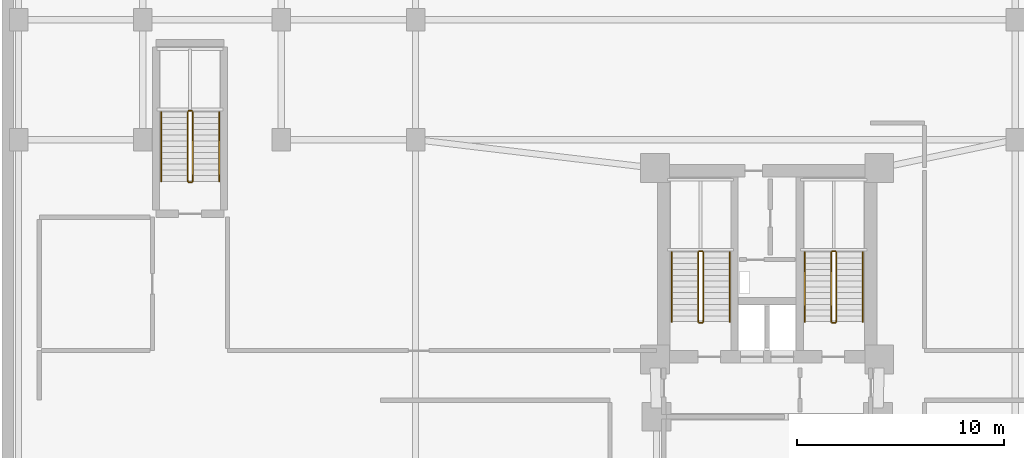
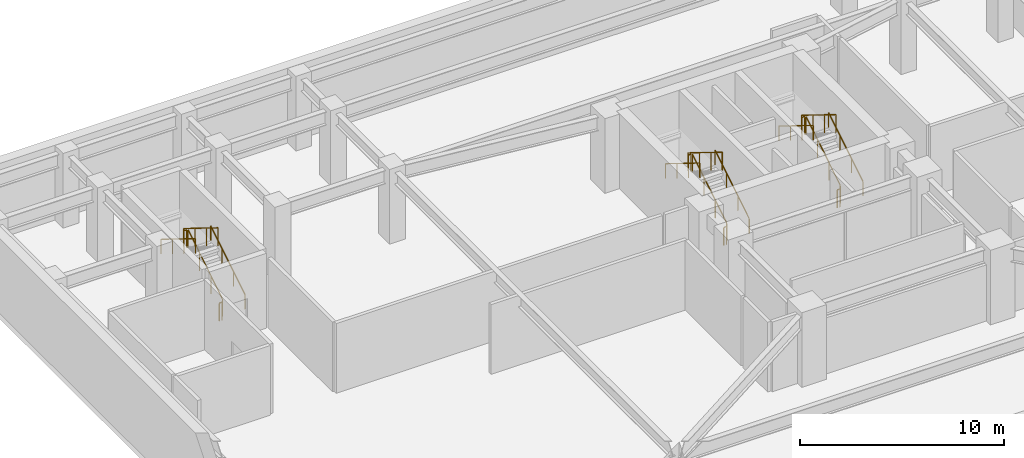
# One storey, part 8 of 8: 18 railings.
"""IFC4 building model written with IfcOpenShell, lengths in metres."""

from ifc_helpers import new_model, si_unit, direction, frame, origin, origin_2d, place, context, subcontext, project, spatial, rectangle, extrude, material, type_object, element, save


model = new_model("IFC4")

# Units and contexts
model_context = context("Model", 3, precision=1e-05, world=origin(), true_north=direction((0.0, 1.0)))
body_context = subcontext(model_context, "Body", "Model", "MODEL_VIEW")
ifc_project = project(units=[si_unit("LENGTHUNIT", "METRE"), si_unit("AREAUNIT", "SQUARE_METRE"), si_unit("VOLUMEUNIT", "CUBIC_METRE"), si_unit("PLANEANGLEUNIT", "RADIAN"), si_unit("MASSUNIT", "GRAM", prefix="KILO")], contexts=[model_context])

# Site, building, storey
site_placement = place(None, origin())
site = spatial("IfcSite", under=ifc_project, at=site_placement, CompositionType="ELEMENT")
building_placement = place(site_placement, origin())
building = spatial("IfcBuilding", under=site, at=building_placement, Name="Varnakorn Sky Granary", CompositionType="ELEMENT")
storey_placement = place(building_placement, frame((0.0, 0.0, -9.0)))
storey = spatial("IfcBuildingStorey", under=building, at=storey_placement, Name="B02", CompositionType="ELEMENT", Elevation=-9.0)

# Railings
ifc_material = material(Name="Brushed Stainless Steel 316", Category="steel")
railing_type_1 = type_object("IfcRailingType", Name="RL-STAIR-1100", PredefinedType="GUARDRAIL", material=ifc_material)
railing_1_placement = place(storey_placement, frame((-0.090087890625, 5.199951171875, 0.173095703125)))
element("IfcRailing", 1, at=railing_1_placement, inside=storey, type_object=railing_type_1, Name="B02 ST-1 stair guard 1", PredefinedType="GUARDRAIL", context=body_context, shape_type="SweptSolid", body=[
    extrude(rectangle(XDim=0.048095703125, YDim=0.048095703125, at=origin_2d()), frame((0.0, 0.0, 1.076171875), z_axis=(0.0, 0.850623216509, 0.525775754039), x_axis=(-1.0, 0.0, 0.0)), (0.0, 0.0, 1.0), 3.9501953125),
    extrude(rectangle(XDim=0.0419921875, YDim=0.0419921875, at=origin_2d()), origin(), (0.0, 0.0, 1.0), 1.048095703125),
    extrude(rectangle(XDim=0.0419921875, YDim=0.0419921875, at=origin_2d()), frame((0.0, 1.1201171875, 0.6923828125)), (0.0, 0.0, 1.0), 1.048095703125),
    extrude(rectangle(XDim=0.0419921875, YDim=0.0419921875, at=origin_2d()), frame((0.0, 2.239990234375, 1.384521484375)), (0.0, 0.0, 1.0), 1.048095703125),
    extrude(rectangle(XDim=0.0419921875, YDim=0.0419921875, at=origin_2d()), frame((0.0, 3.360107421875, 2.076904296875)), (0.0, 0.0, 1.0), 1.048095703125),
])
railing_2_placement = place(storey_placement, frame((-0.139892578125, 8.610107421875, 2.25)))
element("IfcRailing", 2, at=railing_2_placement, inside=storey, type_object=railing_type_1, Name="B02 ST-1 stair guard 2", PredefinedType="GUARDRAIL", context=body_context, shape_type="SweptSolid", body=[
    extrude(rectangle(XDim=0.048095703125, YDim=0.048095703125, at=origin_2d()), frame((0.0, 0.0, 1.076171875), z_axis=(-1.0, 0.0, 0.0), x_axis=(0.0, -1.0, 0.0)), (0.0, 0.0, 1.0), 0.150146484375),
    extrude(rectangle(XDim=0.0419921875, YDim=0.0419921875, at=origin_2d()), origin(), (0.0, 0.0, 1.0), 1.048095703125),
    extrude(rectangle(XDim=0.0419921875, YDim=0.0419921875, at=origin_2d()), frame((-0.150146484375, 0.0, 0.0)), (0.0, 0.0, 1.0), 1.048095703125),
])
railing_3_placement = place(storey_placement, frame((-0.340087890625, 8.56005859375, 2.423095703125)))
element("IfcRailing", 3, at=railing_3_placement, inside=storey, type_object=railing_type_1, Name="B02 ST-1 stair guard 3", PredefinedType="GUARDRAIL", context=body_context, shape_type="SweptSolid", body=[
    extrude(rectangle(XDim=0.048095703125, YDim=0.048095703125, at=origin_2d()), frame((0.0, 0.0, 1.076171875), z_axis=(0.0, -0.850623216509, 0.525775754039), x_axis=(1.0, 0.0, 0.0)), (0.0, 0.0, 1.0), 3.9501953125),
    extrude(rectangle(XDim=0.0419921875, YDim=0.0419921875, at=origin_2d()), origin(), (0.0, 0.0, 1.0), 1.048095703125),
    extrude(rectangle(XDim=0.0419921875, YDim=0.0419921875, at=origin_2d()), frame((0.0, -1.1201171875, 0.6923828125)), (0.0, 0.0, 1.0), 1.048095703125),
    extrude(rectangle(XDim=0.0419921875, YDim=0.0419921875, at=origin_2d()), frame((0.0, -2.239990234375, 1.384521484375)), (0.0, 0.0, 1.0), 1.048095703125),
    extrude(rectangle(XDim=0.0419921875, YDim=0.0419921875, at=origin_2d()), frame((0.0, -3.360107421875, 2.076904296875)), (0.0, 0.0, 1.0), 1.048095703125),
])
railing_4_placement = place(storey_placement, frame((-0.139892578125, 5.14990234375, 0.0)))
element("IfcRailing", 4, at=railing_4_placement, inside=storey, type_object=railing_type_1, Name="B02 ST-1 stair guard 4", PredefinedType="GUARDRAIL", context=body_context, shape_type="SweptSolid", body=[
    extrude(rectangle(XDim=0.048095703125, YDim=0.048095703125, at=origin_2d()), frame((0.0, 0.0, 1.076171875), z_axis=(-1.0, 0.0, 0.0), x_axis=(0.0, -1.0, 0.0)), (0.0, 0.0, 1.0), 0.150146484375),
    extrude(rectangle(XDim=0.0419921875, YDim=0.0419921875, at=origin_2d()), origin(), (0.0, 0.0, 1.0), 1.048095703125),
    extrude(rectangle(XDim=0.0419921875, YDim=0.0419921875, at=origin_2d()), frame((-0.150146484375, 0.0, 0.0)), (0.0, 0.0, 1.0), 1.048095703125),
])
railing_5_placement = place(storey_placement, frame((6.35009765625, 5.199951171875, 0.173095703125)))
element("IfcRailing", 5, at=railing_5_placement, inside=storey, type_object=railing_type_1, Name="B02 ST-2 stair guard 1", PredefinedType="GUARDRAIL", context=body_context, shape_type="SweptSolid", body=[
    extrude(rectangle(XDim=0.048095703125, YDim=0.048095703125, at=origin_2d()), frame((0.0, 0.0, 1.076171875), z_axis=(0.0, 0.850623216509, 0.525775754039), x_axis=(-1.0, 0.0, 0.0)), (0.0, 0.0, 1.0), 3.9501953125),
    extrude(rectangle(XDim=0.0419921875, YDim=0.0419921875, at=origin_2d()), origin(), (0.0, 0.0, 1.0), 1.048095703125),
    extrude(rectangle(XDim=0.0419921875, YDim=0.0419921875, at=origin_2d()), frame((0.0, 1.1201171875, 0.6923828125)), (0.0, 0.0, 1.0), 1.048095703125),
    extrude(rectangle(XDim=0.0419921875, YDim=0.0419921875, at=origin_2d()), frame((0.0, 2.239990234375, 1.384521484375)), (0.0, 0.0, 1.0), 1.048095703125),
    extrude(rectangle(XDim=0.0419921875, YDim=0.0419921875, at=origin_2d()), frame((0.0, 3.360107421875, 2.076904296875)), (0.0, 0.0, 1.0), 1.048095703125),
])
railing_6_placement = place(storey_placement, frame((6.300048828125, 8.610107421875, 2.25)))
element("IfcRailing", 6, at=railing_6_placement, inside=storey, type_object=railing_type_1, Name="B02 ST-2 stair guard 2", PredefinedType="GUARDRAIL", context=body_context, shape_type="SweptSolid", body=[
    extrude(rectangle(XDim=0.048095703125, YDim=0.048095703125, at=origin_2d()), frame((0.0, 0.0, 1.076171875), z_axis=(-1.0, 0.0, 0.0), x_axis=(0.0, -1.0, 0.0)), (0.0, 0.0, 1.0), 0.150146484375),
    extrude(rectangle(XDim=0.0419921875, YDim=0.0419921875, at=origin_2d()), origin(), (0.0, 0.0, 1.0), 1.048095703125),
    extrude(rectangle(XDim=0.0419921875, YDim=0.0419921875, at=origin_2d()), frame((-0.150146484375, 0.0, 0.0)), (0.0, 0.0, 1.0), 1.048095703125),
])
railing_7_placement = place(storey_placement, frame((6.10009765625, 8.56005859375, 2.423095703125)))
element("IfcRailing", 7, at=railing_7_placement, inside=storey, type_object=railing_type_1, Name="B02 ST-2 stair guard 3", PredefinedType="GUARDRAIL", context=body_context, shape_type="SweptSolid", body=[
    extrude(rectangle(XDim=0.048095703125, YDim=0.048095703125, at=origin_2d()), frame((0.0, 0.0, 1.076171875), z_axis=(0.0, -0.850623216509, 0.525775754039), x_axis=(1.0, 0.0, 0.0)), (0.0, 0.0, 1.0), 3.9501953125),
    extrude(rectangle(XDim=0.0419921875, YDim=0.0419921875, at=origin_2d()), origin(), (0.0, 0.0, 1.0), 1.048095703125),
    extrude(rectangle(XDim=0.0419921875, YDim=0.0419921875, at=origin_2d()), frame((0.0, -1.1201171875, 0.6923828125)), (0.0, 0.0, 1.0), 1.048095703125),
    extrude(rectangle(XDim=0.0419921875, YDim=0.0419921875, at=origin_2d()), frame((0.0, -2.239990234375, 1.384521484375)), (0.0, 0.0, 1.0), 1.048095703125),
    extrude(rectangle(XDim=0.0419921875, YDim=0.0419921875, at=origin_2d()), frame((0.0, -3.360107421875, 2.076904296875)), (0.0, 0.0, 1.0), 1.048095703125),
])
railing_8_placement = place(storey_placement, frame((6.300048828125, 5.14990234375, 0.0)))
element("IfcRailing", 8, at=railing_8_placement, inside=storey, type_object=railing_type_1, Name="B02 ST-2 stair guard 4", PredefinedType="GUARDRAIL", context=body_context, shape_type="SweptSolid", body=[
    extrude(rectangle(XDim=0.048095703125, YDim=0.048095703125, at=origin_2d()), frame((0.0, 0.0, 1.076171875), z_axis=(-1.0, 0.0, 0.0), x_axis=(0.0, -1.0, 0.0)), (0.0, 0.0, 1.0), 0.150146484375),
    extrude(rectangle(XDim=0.0419921875, YDim=0.0419921875, at=origin_2d()), origin(), (0.0, 0.0, 1.0), 1.048095703125),
    extrude(rectangle(XDim=0.0419921875, YDim=0.0419921875, at=origin_2d()), frame((-0.150146484375, 0.0, 0.0)), (0.0, 0.0, 1.0), 1.048095703125),
])
railing_9_placement = place(storey_placement, frame((-24.780029296875, 11.97998046875, 0.173095703125)))
element("IfcRailing", 9, at=railing_9_placement, inside=storey, type_object=railing_type_1, Name="B02 ST-B3 stair guard 1", PredefinedType="GUARDRAIL", context=body_context, shape_type="SweptSolid", body=[
    extrude(rectangle(XDim=0.048095703125, YDim=0.048095703125, at=origin_2d()), frame((0.0, 0.0, 1.076171875), z_axis=(0.0, 0.850623216509, 0.525775754039), x_axis=(-1.0, 0.0, 0.0)), (0.0, 0.0, 1.0), 3.9501953125),
    extrude(rectangle(XDim=0.0419921875, YDim=0.0419921875, at=origin_2d()), origin(), (0.0, 0.0, 1.0), 1.048095703125),
    extrude(rectangle(XDim=0.0419921875, YDim=0.0419921875, at=origin_2d()), frame((0.0, 1.1201171875, 0.6923828125)), (0.0, 0.0, 1.0), 1.048095703125),
    extrude(rectangle(XDim=0.0419921875, YDim=0.0419921875, at=origin_2d()), frame((0.0, 2.239990234375, 1.384521484375)), (0.0, 0.0, 1.0), 1.048095703125),
    extrude(rectangle(XDim=0.0419921875, YDim=0.0419921875, at=origin_2d()), frame((0.0, 3.360107421875, 2.076904296875)), (0.0, 0.0, 1.0), 1.048095703125),
])
railing_10_placement = place(storey_placement, frame((-24.830078125, 15.389892578125, 2.25)))
element("IfcRailing", 10, at=railing_10_placement, inside=storey, type_object=railing_type_1, Name="B02 ST-B3 stair guard 2", PredefinedType="GUARDRAIL", context=body_context, shape_type="SweptSolid", body=[
    extrude(rectangle(XDim=0.048095703125, YDim=0.048095703125, at=origin_2d()), frame((0.0, 0.0, 1.076171875), z_axis=(-1.0, 0.0, 0.0), x_axis=(0.0, -1.0, 0.0)), (0.0, 0.0, 1.0), 0.14990234375),
    extrude(rectangle(XDim=0.0419921875, YDim=0.0419921875, at=origin_2d()), origin(), (0.0, 0.0, 1.0), 1.048095703125),
    extrude(rectangle(XDim=0.0419921875, YDim=0.0419921875, at=origin_2d()), frame((-0.14990234375, 0.0, 0.0)), (0.0, 0.0, 1.0), 1.048095703125),
])
railing_11_placement = place(storey_placement, frame((-25.030029296875, 15.340087890625, 2.423095703125)))
element("IfcRailing", 11, at=railing_11_placement, inside=storey, type_object=railing_type_1, Name="B02 ST-B3 stair guard 3", PredefinedType="GUARDRAIL", context=body_context, shape_type="SweptSolid", body=[
    extrude(rectangle(XDim=0.048095703125, YDim=0.048095703125, at=origin_2d()), frame((0.0, 0.0, 1.076171875), z_axis=(0.0, -0.850623216509, 0.525775754039), x_axis=(1.0, 0.0, 0.0)), (0.0, 0.0, 1.0), 3.9501953125),
    extrude(rectangle(XDim=0.0419921875, YDim=0.0419921875, at=origin_2d()), origin(), (0.0, 0.0, 1.0), 1.048095703125),
    extrude(rectangle(XDim=0.0419921875, YDim=0.0419921875, at=origin_2d()), frame((0.0, -1.1201171875, 0.6923828125)), (0.0, 0.0, 1.0), 1.048095703125),
    extrude(rectangle(XDim=0.0419921875, YDim=0.0419921875, at=origin_2d()), frame((0.0, -2.239990234375, 1.384521484375)), (0.0, 0.0, 1.0), 1.048095703125),
    extrude(rectangle(XDim=0.0419921875, YDim=0.0419921875, at=origin_2d()), frame((0.0, -3.360107421875, 2.076904296875)), (0.0, 0.0, 1.0), 1.048095703125),
])
railing_12_placement = place(storey_placement, frame((-24.830078125, 11.929931640625, 0.0)))
element("IfcRailing", 12, at=railing_12_placement, inside=storey, type_object=railing_type_1, Name="B02 ST-B3 stair guard 4", PredefinedType="GUARDRAIL", context=body_context, shape_type="SweptSolid", body=[
    extrude(rectangle(XDim=0.048095703125, YDim=0.048095703125, at=origin_2d()), frame((0.0, 0.0, 1.076171875), z_axis=(-1.0, 0.0, 0.0), x_axis=(0.0, -1.0, 0.0)), (0.0, 0.0, 1.0), 0.14990234375),
    extrude(rectangle(XDim=0.0419921875, YDim=0.0419921875, at=origin_2d()), origin(), (0.0, 0.0, 1.0), 1.048095703125),
    extrude(rectangle(XDim=0.0419921875, YDim=0.0419921875, at=origin_2d()), frame((-0.14990234375, 0.0, 0.0)), (0.0, 0.0, 1.0), 1.048095703125),
])
railing_type_2 = type_object("IfcRailingType", Name="RL-STAIR-920", PredefinedType="HANDRAIL", material=ifc_material)
railing_13_placement = place(storey_placement, frame((1.18994140625, 5.199951171875, 0.173095703125)))
element("IfcRailing", 13, at=railing_13_placement, inside=storey, type_object=railing_type_2, Name="B02 ST-1 stair handrail 1", PredefinedType="HANDRAIL", context=body_context, shape_type="SweptSolid", body=[
    extrude(rectangle(XDim=0.048095703125, YDim=0.048095703125, at=origin_2d()), frame((0.0, 0.0, 0.8759765625), z_axis=(0.0, 0.850623216509, 0.525775754039), x_axis=(-1.0, 0.0, 0.0)), (0.0, 0.0, 1.0), 3.9501953125),
    extrude(rectangle(XDim=0.0419921875, YDim=0.0419921875, at=origin_2d()), origin(), (0.0, 0.0, 1.0), 0.847900390625),
    extrude(rectangle(XDim=0.0419921875, YDim=0.0419921875, at=origin_2d()), frame((0.0, 1.1201171875, 0.6923828125)), (0.0, 0.0, 1.0), 0.847900390625),
    extrude(rectangle(XDim=0.0419921875, YDim=0.0419921875, at=origin_2d()), frame((0.0, 2.239990234375, 1.384521484375)), (0.0, 0.0, 1.0), 0.847900390625),
    extrude(rectangle(XDim=0.0419921875, YDim=0.0419921875, at=origin_2d()), frame((0.0, 3.360107421875, 2.076904296875)), (0.0, 0.0, 1.0), 0.847900390625),
])
railing_14_placement = place(storey_placement, frame((-1.6201171875, 8.56005859375, 2.423095703125)))
element("IfcRailing", 14, at=railing_14_placement, inside=storey, type_object=railing_type_2, Name="B02 ST-1 stair handrail 2", PredefinedType="HANDRAIL", context=body_context, shape_type="SweptSolid", body=[
    extrude(rectangle(XDim=0.048095703125, YDim=0.048095703125, at=origin_2d()), frame((0.0, 0.0, 0.8759765625), z_axis=(0.0, -0.850623216509, 0.525775754039), x_axis=(1.0, 0.0, 0.0)), (0.0, 0.0, 1.0), 3.9501953125),
    extrude(rectangle(XDim=0.0419921875, YDim=0.0419921875, at=origin_2d()), origin(), (0.0, 0.0, 1.0), 0.847900390625),
    extrude(rectangle(XDim=0.0419921875, YDim=0.0419921875, at=origin_2d()), frame((0.0, -1.1201171875, 0.6923828125)), (0.0, 0.0, 1.0), 0.847900390625),
    extrude(rectangle(XDim=0.0419921875, YDim=0.0419921875, at=origin_2d()), frame((0.0, -2.239990234375, 1.384521484375)), (0.0, 0.0, 1.0), 0.847900390625),
    extrude(rectangle(XDim=0.0419921875, YDim=0.0419921875, at=origin_2d()), frame((0.0, -3.360107421875, 2.076904296875)), (0.0, 0.0, 1.0), 0.847900390625),
])
railing_15_placement = place(storey_placement, frame((7.6298828125, 5.199951171875, 0.173095703125)))
element("IfcRailing", 15, at=railing_15_placement, inside=storey, type_object=railing_type_2, Name="B02 ST-2 stair handrail 1", PredefinedType="HANDRAIL", context=body_context, shape_type="SweptSolid", body=[
    extrude(rectangle(XDim=0.048095703125, YDim=0.048095703125, at=origin_2d()), frame((0.0, 0.0, 0.8759765625), z_axis=(0.0, 0.850623216509, 0.525775754039), x_axis=(-1.0, 0.0, 0.0)), (0.0, 0.0, 1.0), 3.9501953125),
    extrude(rectangle(XDim=0.0419921875, YDim=0.0419921875, at=origin_2d()), origin(), (0.0, 0.0, 1.0), 0.847900390625),
    extrude(rectangle(XDim=0.0419921875, YDim=0.0419921875, at=origin_2d()), frame((0.0, 1.1201171875, 0.6923828125)), (0.0, 0.0, 1.0), 0.847900390625),
    extrude(rectangle(XDim=0.0419921875, YDim=0.0419921875, at=origin_2d()), frame((0.0, 2.239990234375, 1.384521484375)), (0.0, 0.0, 1.0), 0.847900390625),
    extrude(rectangle(XDim=0.0419921875, YDim=0.0419921875, at=origin_2d()), frame((0.0, 3.360107421875, 2.076904296875)), (0.0, 0.0, 1.0), 0.847900390625),
])
railing_16_placement = place(storey_placement, frame((4.820068359375, 8.56005859375, 2.423095703125)))
element("IfcRailing", 16, at=railing_16_placement, inside=storey, type_object=railing_type_2, Name="B02 ST-2 stair handrail 2", PredefinedType="HANDRAIL", context=body_context, shape_type="SweptSolid", body=[
    extrude(rectangle(XDim=0.048095703125, YDim=0.048095703125, at=origin_2d()), frame((0.0, 0.0, 0.8759765625), z_axis=(0.0, -0.850623216509, 0.525775754039), x_axis=(1.0, 0.0, 0.0)), (0.0, 0.0, 1.0), 3.9501953125),
    extrude(rectangle(XDim=0.0419921875, YDim=0.0419921875, at=origin_2d()), origin(), (0.0, 0.0, 1.0), 0.847900390625),
    extrude(rectangle(XDim=0.0419921875, YDim=0.0419921875, at=origin_2d()), frame((0.0, -1.1201171875, 0.6923828125)), (0.0, 0.0, 1.0), 0.847900390625),
    extrude(rectangle(XDim=0.0419921875, YDim=0.0419921875, at=origin_2d()), frame((0.0, -2.239990234375, 1.384521484375)), (0.0, 0.0, 1.0), 0.847900390625),
    extrude(rectangle(XDim=0.0419921875, YDim=0.0419921875, at=origin_2d()), frame((0.0, -3.360107421875, 2.076904296875)), (0.0, 0.0, 1.0), 0.847900390625),
])
railing_17_placement = place(storey_placement, frame((-23.5, 11.97998046875, 0.173095703125)))
element("IfcRailing", 17, at=railing_17_placement, inside=storey, type_object=railing_type_2, Name="B02 ST-B3 stair handrail 1", PredefinedType="HANDRAIL", context=body_context, shape_type="SweptSolid", body=[
    extrude(rectangle(XDim=0.048095703125, YDim=0.048095703125, at=origin_2d()), frame((0.0, 0.0, 0.8759765625), z_axis=(0.0, 0.850623216509, 0.525775754039), x_axis=(-1.0, 0.0, 0.0)), (0.0, 0.0, 1.0), 3.9501953125),
    extrude(rectangle(XDim=0.0419921875, YDim=0.0419921875, at=origin_2d()), origin(), (0.0, 0.0, 1.0), 0.847900390625),
    extrude(rectangle(XDim=0.0419921875, YDim=0.0419921875, at=origin_2d()), frame((0.0, 1.1201171875, 0.6923828125)), (0.0, 0.0, 1.0), 0.847900390625),
    extrude(rectangle(XDim=0.0419921875, YDim=0.0419921875, at=origin_2d()), frame((0.0, 2.239990234375, 1.384521484375)), (0.0, 0.0, 1.0), 0.847900390625),
    extrude(rectangle(XDim=0.0419921875, YDim=0.0419921875, at=origin_2d()), frame((0.0, 3.360107421875, 2.076904296875)), (0.0, 0.0, 1.0), 0.847900390625),
])
railing_18_placement = place(storey_placement, frame((-26.31005859375, 15.340087890625, 2.423095703125)))
element("IfcRailing", 18, at=railing_18_placement, inside=storey, type_object=railing_type_2, Name="B02 ST-B3 stair handrail 2", PredefinedType="HANDRAIL", context=body_context, shape_type="SweptSolid", body=[
    extrude(rectangle(XDim=0.048095703125, YDim=0.048095703125, at=origin_2d()), frame((0.0, 0.0, 0.8759765625), z_axis=(0.0, -0.850623216509, 0.525775754039), x_axis=(1.0, 0.0, 0.0)), (0.0, 0.0, 1.0), 3.9501953125),
    extrude(rectangle(XDim=0.0419921875, YDim=0.0419921875, at=origin_2d()), origin(), (0.0, 0.0, 1.0), 0.847900390625),
    extrude(rectangle(XDim=0.0419921875, YDim=0.0419921875, at=origin_2d()), frame((0.0, -1.1201171875, 0.6923828125)), (0.0, 0.0, 1.0), 0.847900390625),
    extrude(rectangle(XDim=0.0419921875, YDim=0.0419921875, at=origin_2d()), frame((0.0, -2.239990234375, 1.384521484375)), (0.0, 0.0, 1.0), 0.847900390625),
    extrude(rectangle(XDim=0.0419921875, YDim=0.0419921875, at=origin_2d()), frame((0.0, -3.360107421875, 2.076904296875)), (0.0, 0.0, 1.0), 0.847900390625),
])

save(model, "model.ifc")
